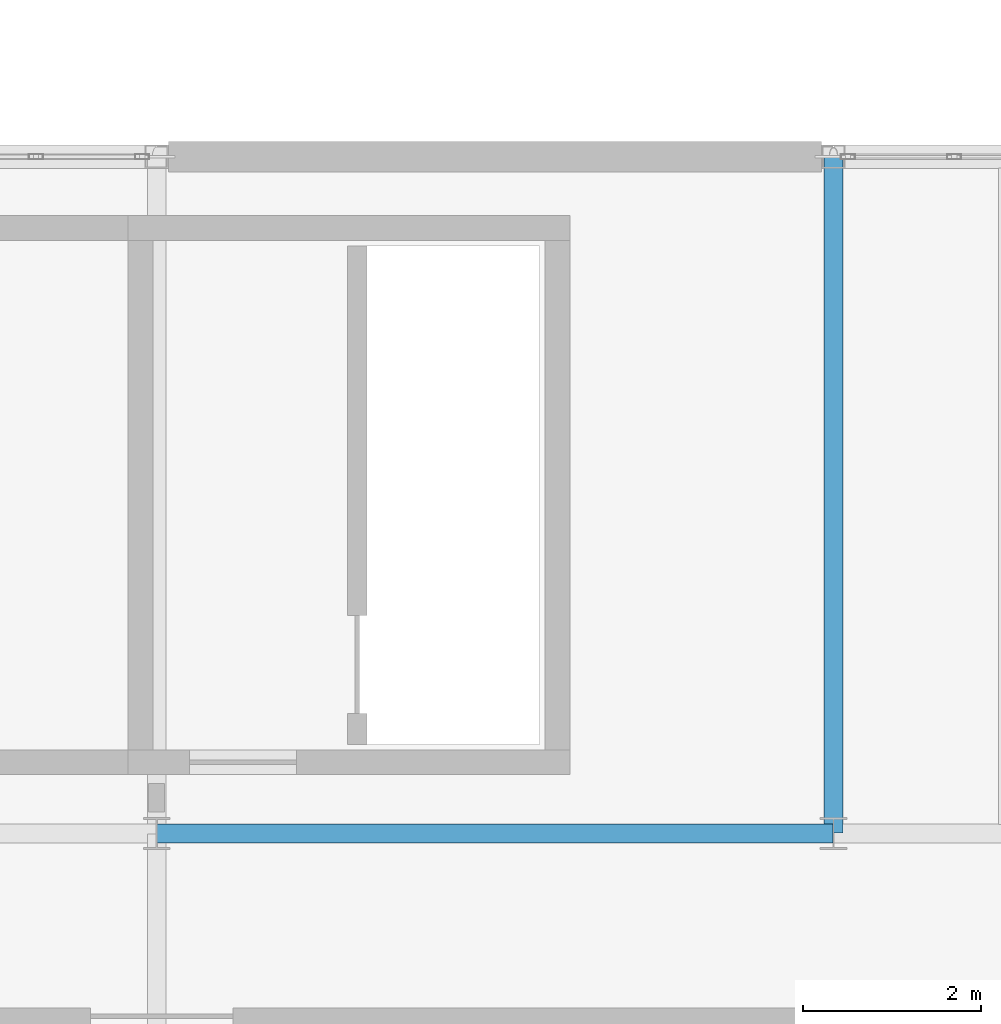
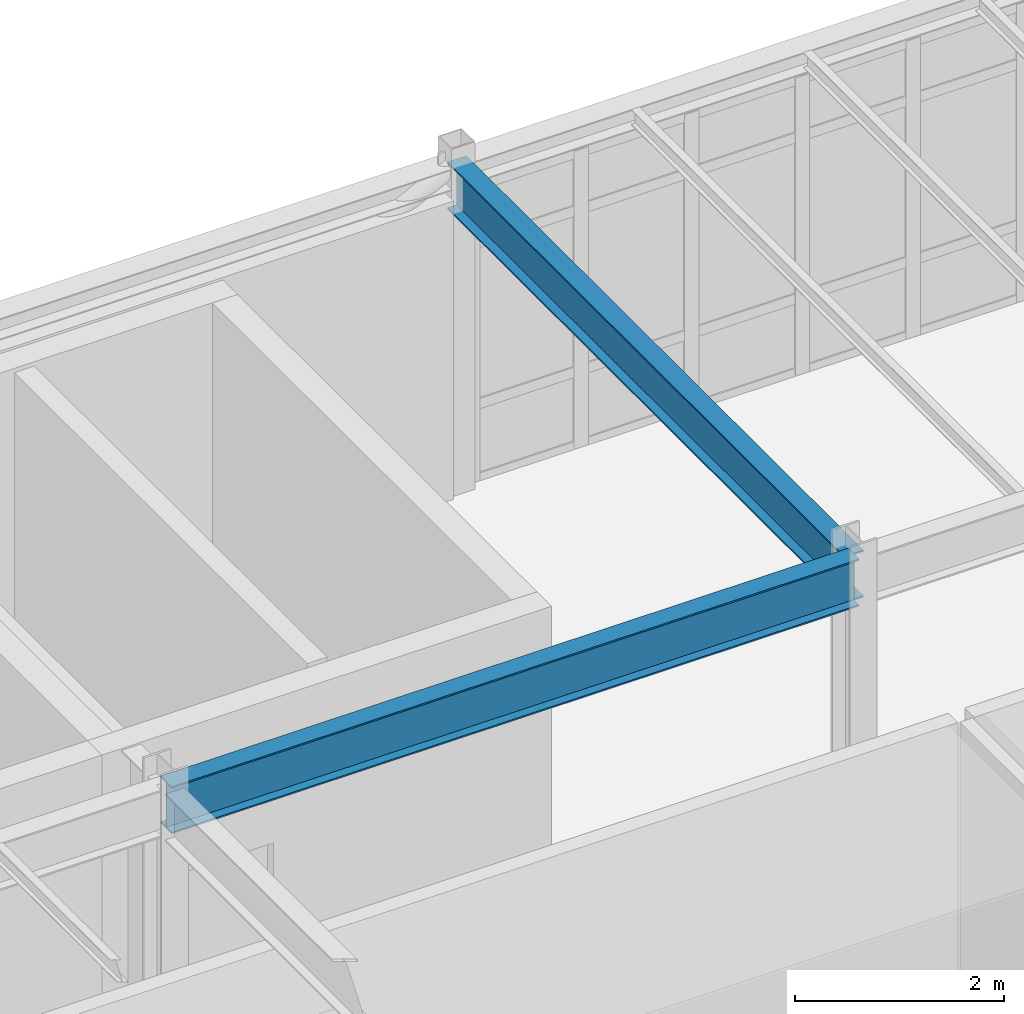
# One storey, part 75 of 189: 2 beams.
"""IFC4 building model written with IfcOpenShell, lengths in metres."""

from ifc_helpers import new_model, si_unit, direction, frame, origin, origin_2d, place, context, subcontext, project, spatial, i_section, extrude, material, material_profile, profile_set, type_object, element, save


model = new_model("IFC4")

# Units and contexts
model_context = context("Model", 3, precision=1e-05, world=origin(), true_north=direction((0.0, 1.0)))
body_context = subcontext(model_context, "Body", "Model", "MODEL_VIEW")
ifc_project = project(units=[si_unit("LENGTHUNIT", "METRE"), si_unit("AREAUNIT", "SQUARE_METRE"), si_unit("VOLUMEUNIT", "CUBIC_METRE"), si_unit("PLANEANGLEUNIT", "RADIAN"), si_unit("MASSUNIT", "GRAM", prefix="KILO")], contexts=[model_context])

# Site, building, storey
site_placement = place(None, origin())
site = spatial("IfcSite", under=ifc_project, at=site_placement, CompositionType="ELEMENT")
building_placement = place(site_placement, origin())
building = spatial("IfcBuilding", under=site, at=building_placement, Name="Montecoro Central Library", CompositionType="ELEMENT")
storey_placement = place(building_placement, frame((0.0, 0.0, 9.179931640625)))
storey = spatial("IfcBuildingStorey", under=building, at=storey_placement, Name="L02", CompositionType="ELEMENT", Elevation=9.179931640625)

# Beams
ifc_material = material(Name="Steel S355J2", Category="steel")
ifc_material_profile = material_profile(ifc_material, i_section(OverallWidth=0.2099609375, OverallDepth=0.550048828125, WebThickness=0.010986328125, FlangeThickness=0.01708984375, at=origin_2d()), Name="IPE 550")
ifc_profile_set = profile_set([ifc_material_profile], Name="Steel S355J2")
beam_type = type_object("IfcBeamType", Name="BM-G-IPE550", PredefinedType="USERDEFINED", material=ifc_profile_set)
for number, where, z_axis, x_axis, name in (
    (1, (12.60498046875, 103.800048828125, 3.550048828125), (1.0, 0.0, 0.0), (0.0, 1.0, 0.0), "V4-L02-BX-23-P"),
    (2, (20.199951171875, 103.804931640625, 3.550048828125), (0.0, 1.0, 0.0), (-1.0, 0.0, 0.0), "V4-L02-BY-3-PQ"),
):
    element("IfcBeam", number, at=place(storey_placement, frame(where, z_axis=z_axis, x_axis=x_axis)), inside=storey, type_object=beam_type, Name=name, ObjectType="GIRDER", PredefinedType="USERDEFINED", context=body_context, shape_type="SweptSolid", body=[
        extrude(i_section(OverallWidth=0.2099609375, OverallDepth=0.550048828125, WebThickness=0.010986328125, FlangeThickness=0.01708984375, at=origin_2d()), origin(), (0.0, 0.0, 1.0), 7.590087890625),
    ])

save(model, "model.ifc")
